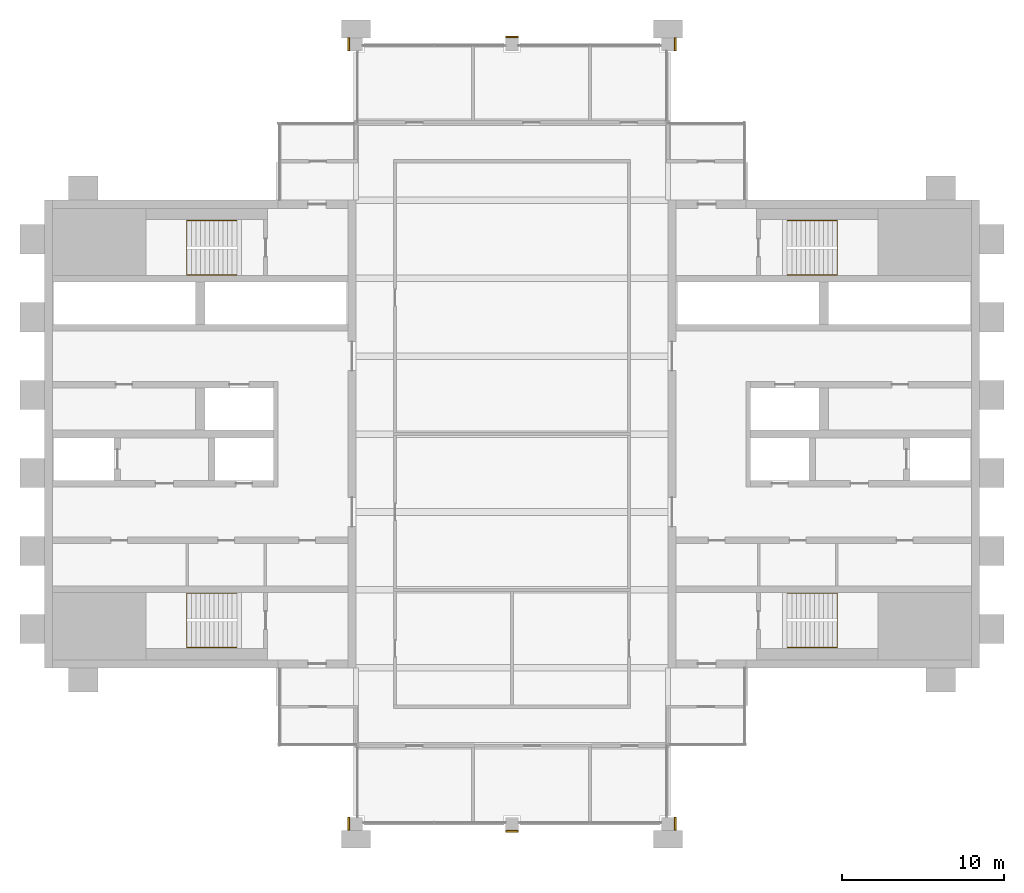
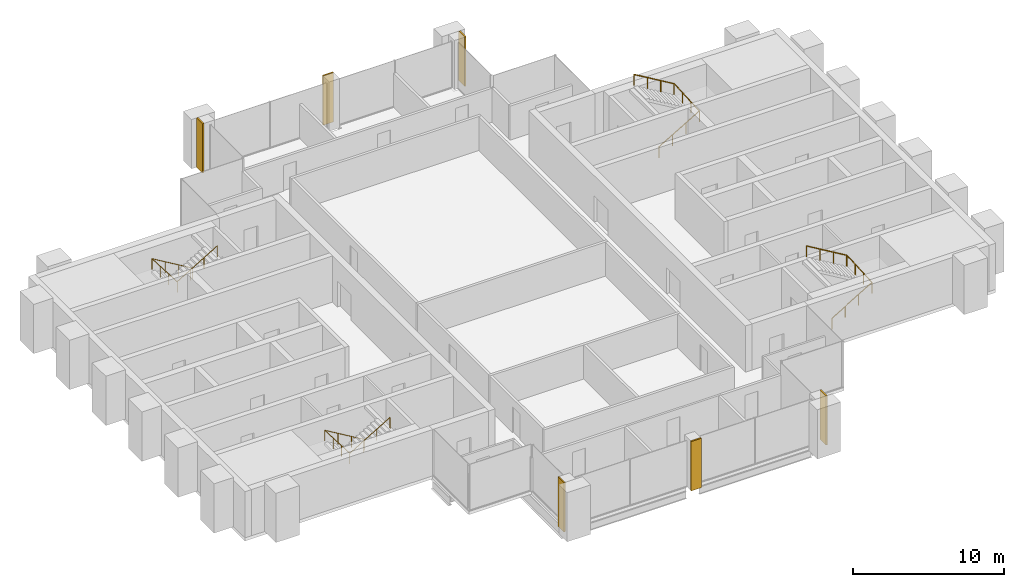
# One storey, part 11 of 11: 6 coverings, 4 railings.
"""IFC4 building model written with IfcOpenShell, lengths in metres."""

from ifc_helpers import new_model, si_unit, direction, frame, origin, origin_2d, place, context, subcontext, project, spatial, rectangle, circle, extrude, material, layer, layer_set, type_object, element, save


model = new_model("IFC4")

# Units and contexts
model_context = context("Model", 3, precision=1e-05, world=origin(), true_north=direction((0.0, 1.0)))
body_context = subcontext(model_context, "Body", "Model", "MODEL_VIEW")
ifc_project = project(units=[si_unit("LENGTHUNIT", "METRE"), si_unit("AREAUNIT", "SQUARE_METRE"), si_unit("VOLUMEUNIT", "CUBIC_METRE"), si_unit("PLANEANGLEUNIT", "RADIAN"), si_unit("MASSUNIT", "GRAM", prefix="KILO")], contexts=[model_context])

# Site, building, storey
site_placement = place(None, origin())
site = spatial("IfcSite", under=ifc_project, at=site_placement, CompositionType="ELEMENT")
building_placement = place(site_placement, origin())
building = spatial("IfcBuilding", under=site, at=building_placement, Name="Baori Bourse Tower", CompositionType="ELEMENT")
storey_placement = place(building_placement, frame((0.0, 0.0, 354.300048828125)))
storey = spatial("IfcBuildingStorey", under=building, at=storey_placement, Name="L79", CompositionType="ELEMENT", Elevation=354.300048828125)

# Railings
ifc_material_1 = material(Name="Powder-coated steel balustrade", Category="steel")
railing_type = type_object("IfcRailingType", Name="Core stair handrail", PredefinedType="HANDRAIL", material=ifc_material_1)
railing_1_placement = place(storey_placement, frame((11.85009765625, 14.199951171875, 0.16650390625)))
element("IfcRailing", 1, at=railing_1_placement, inside=storey, type_object=railing_type, Name="L79 ST1 stair handrail 1", PredefinedType="HANDRAIL", context=body_context, shape_type="SweptSolid", body=[
    extrude(circle(Radius=0.02392578125, at=origin_2d()), frame((0.0, 0.0, 0.8759765625), z_axis=(-0.85927862911, 0.0, 0.511507807912), x_axis=(0.0, -1.0, 0.0)), (0.0, 0.0, 1.0), 3.58447265625),
    extrude(circle(Radius=0.02392578125, at=origin_2d()), frame((-3.080078125, 0.0, 2.70947265625), z_axis=(0.0, -0.998766999029, 0.049643545903), x_axis=(1.0, 0.0, 0.0)), (0.0, 0.0, 1.0), 3.35400390625),
    extrude(circle(Radius=0.02392578125, at=origin_2d()), frame((-3.080078125, -3.349853515625, 2.8759765625), z_axis=(0.85927862911, 0.0, 0.511507807912), x_axis=(0.0, 1.0, 0.0)), (0.0, 0.0, 1.0), 3.58447265625),
    extrude(circle(Radius=0.02099609375, at=origin_2d()), origin(), (0.0, 0.0, 1.0), 0.851806640625),
    extrude(circle(Radius=0.02099609375, at=origin_2d()), frame((-1.026611328125, 0.0, 0.611083984375)), (0.0, 0.0, 1.0), 0.851806640625),
    extrude(circle(Radius=0.02099609375, at=origin_2d()), frame((-2.053466796875, 0.0, 1.222412109375)), (0.0, 0.0, 1.0), 0.851806640625),
    extrude(circle(Radius=0.02099609375, at=origin_2d()), frame((-3.080078125, 0.0, 1.83349609375)), (0.0, 0.0, 1.0), 0.851806640625),
    extrude(circle(Radius=0.02099609375, at=origin_2d()), frame((-3.080078125, -1.11669921875, 1.888916015625)), (0.0, 0.0, 1.0), 0.851806640625),
    extrude(circle(Radius=0.02099609375, at=origin_2d()), frame((-3.080078125, -2.233154296875, 1.944580078125)), (0.0, 0.0, 1.0), 0.851806640625),
    extrude(circle(Radius=0.02099609375, at=origin_2d()), frame((-3.080078125, -3.349853515625, 2.0)), (0.0, 0.0, 1.0), 0.851806640625),
    extrude(circle(Radius=0.02099609375, at=origin_2d()), frame((-2.053466796875, -3.349853515625, 2.611083984375)), (0.0, 0.0, 1.0), 0.851806640625),
    extrude(circle(Radius=0.02099609375, at=origin_2d()), frame((-1.026611328125, -3.349853515625, 3.222412109375)), (0.0, 0.0, 1.0), 0.851806640625),
    extrude(circle(Radius=0.02099609375, at=origin_2d()), frame((0.0, -3.349853515625, 3.83349609375)), (0.0, 0.0, 1.0), 0.851806640625),
])
railing_2_placement = place(storey_placement, frame((11.85009765625, 37.14990234375, 0.16650390625)))
element("IfcRailing", 2, at=railing_2_placement, inside=storey, type_object=railing_type, Name="L79 ST2 stair handrail 1", PredefinedType="HANDRAIL", context=body_context, shape_type="SweptSolid", body=[
    extrude(circle(Radius=0.02392578125, at=origin_2d()), frame((0.0, 0.0, 0.8759765625), z_axis=(-0.85927862911, 0.0, 0.511507807912), x_axis=(0.0, -1.0, 0.0)), (0.0, 0.0, 1.0), 3.58447265625),
    extrude(circle(Radius=0.02392578125, at=origin_2d()), frame((-3.080078125, 0.0, 2.70947265625), z_axis=(0.0, -0.998766999029, 0.049643545903), x_axis=(1.0, 0.0, 0.0)), (0.0, 0.0, 1.0), 3.35400390625),
    extrude(circle(Radius=0.02392578125, at=origin_2d()), frame((-3.080078125, -3.349853515625, 2.8759765625), z_axis=(0.85927862911, 0.0, 0.511507807912), x_axis=(0.0, 1.0, 0.0)), (0.0, 0.0, 1.0), 3.58447265625),
    extrude(circle(Radius=0.02099609375, at=origin_2d()), origin(), (0.0, 0.0, 1.0), 0.851806640625),
    extrude(circle(Radius=0.02099609375, at=origin_2d()), frame((-1.026611328125, 0.0, 0.611083984375)), (0.0, 0.0, 1.0), 0.851806640625),
    extrude(circle(Radius=0.02099609375, at=origin_2d()), frame((-2.053466796875, 0.0, 1.222412109375)), (0.0, 0.0, 1.0), 0.851806640625),
    extrude(circle(Radius=0.02099609375, at=origin_2d()), frame((-3.080078125, 0.0, 1.83349609375)), (0.0, 0.0, 1.0), 0.851806640625),
    extrude(circle(Radius=0.02099609375, at=origin_2d()), frame((-3.080078125, -1.11669921875, 1.888916015625)), (0.0, 0.0, 1.0), 0.851806640625),
    extrude(circle(Radius=0.02099609375, at=origin_2d()), frame((-3.080078125, -2.233154296875, 1.944580078125)), (0.0, 0.0, 1.0), 0.851806640625),
    extrude(circle(Radius=0.02099609375, at=origin_2d()), frame((-3.080078125, -3.349853515625, 2.0)), (0.0, 0.0, 1.0), 0.851806640625),
    extrude(circle(Radius=0.02099609375, at=origin_2d()), frame((-2.053466796875, -3.349853515625, 2.611083984375)), (0.0, 0.0, 1.0), 0.851806640625),
    extrude(circle(Radius=0.02099609375, at=origin_2d()), frame((-1.026611328125, -3.349853515625, 3.222412109375)), (0.0, 0.0, 1.0), 0.851806640625),
    extrude(circle(Radius=0.02099609375, at=origin_2d()), frame((0.0, -3.349853515625, 3.83349609375)), (0.0, 0.0, 1.0), 0.851806640625),
])
railing_3_placement = place(storey_placement, frame((45.75, 10.85009765625, 0.16650390625)))
element("IfcRailing", 3, at=railing_3_placement, inside=storey, type_object=railing_type, Name="L79 ST3 stair handrail 1", PredefinedType="HANDRAIL", context=body_context, shape_type="SweptSolid", body=[
    extrude(circle(Radius=0.02392578125, at=origin_2d()), frame((0.0, 0.0, 0.8759765625), z_axis=(0.85927862911, 0.0, 0.511507807912), x_axis=(0.0, 1.0, 0.0)), (0.0, 0.0, 1.0), 3.58447265625),
    extrude(circle(Radius=0.02392578125, at=origin_2d()), frame((3.080078125, 0.0, 2.70947265625), z_axis=(0.0, 0.998766999029, 0.049643545903), x_axis=(-1.0, 0.0, 0.0)), (0.0, 0.0, 1.0), 3.35400390625),
    extrude(circle(Radius=0.02392578125, at=origin_2d()), frame((3.080078125, 3.349853515625, 2.8759765625), z_axis=(-0.85927862911, 0.0, 0.511507807912), x_axis=(0.0, -1.0, 0.0)), (0.0, 0.0, 1.0), 3.58447265625),
    extrude(circle(Radius=0.02099609375, at=origin_2d()), origin(), (0.0, 0.0, 1.0), 0.851806640625),
    extrude(circle(Radius=0.02099609375, at=origin_2d()), frame((1.026611328125, 0.0, 0.611083984375)), (0.0, 0.0, 1.0), 0.851806640625),
    extrude(circle(Radius=0.02099609375, at=origin_2d()), frame((2.053466796875, 0.0, 1.222412109375)), (0.0, 0.0, 1.0), 0.851806640625),
    extrude(circle(Radius=0.02099609375, at=origin_2d()), frame((3.080078125, 0.0, 1.83349609375)), (0.0, 0.0, 1.0), 0.851806640625),
    extrude(circle(Radius=0.02099609375, at=origin_2d()), frame((3.080078125, 1.11669921875, 1.888916015625)), (0.0, 0.0, 1.0), 0.851806640625),
    extrude(circle(Radius=0.02099609375, at=origin_2d()), frame((3.080078125, 2.233154296875, 1.944580078125)), (0.0, 0.0, 1.0), 0.851806640625),
    extrude(circle(Radius=0.02099609375, at=origin_2d()), frame((3.080078125, 3.349853515625, 2.0)), (0.0, 0.0, 1.0), 0.851806640625),
    extrude(circle(Radius=0.02099609375, at=origin_2d()), frame((2.053466796875, 3.349853515625, 2.611083984375)), (0.0, 0.0, 1.0), 0.851806640625),
    extrude(circle(Radius=0.02099609375, at=origin_2d()), frame((1.026611328125, 3.349853515625, 3.222412109375)), (0.0, 0.0, 1.0), 0.851806640625),
    extrude(circle(Radius=0.02099609375, at=origin_2d()), frame((0.0, 3.349853515625, 3.83349609375)), (0.0, 0.0, 1.0), 0.851806640625),
])
railing_4_placement = place(storey_placement, frame((45.75, 33.800048828125, 0.16650390625)))
element("IfcRailing", 4, at=railing_4_placement, inside=storey, type_object=railing_type, Name="L79 ST4 stair handrail 1", PredefinedType="HANDRAIL", context=body_context, shape_type="SweptSolid", body=[
    extrude(circle(Radius=0.02392578125, at=origin_2d()), frame((0.0, 0.0, 0.8759765625), z_axis=(0.85927862911, 0.0, 0.511507807912), x_axis=(0.0, 1.0, 0.0)), (0.0, 0.0, 1.0), 3.58447265625),
    extrude(circle(Radius=0.02392578125, at=origin_2d()), frame((3.080078125, 0.0, 2.70947265625), z_axis=(0.0, 0.998766999029, 0.049643545903), x_axis=(-1.0, 0.0, 0.0)), (0.0, 0.0, 1.0), 3.35400390625),
    extrude(circle(Radius=0.02392578125, at=origin_2d()), frame((3.080078125, 3.349853515625, 2.8759765625), z_axis=(-0.85927862911, 0.0, 0.511507807912), x_axis=(0.0, -1.0, 0.0)), (0.0, 0.0, 1.0), 3.58447265625),
    extrude(circle(Radius=0.02099609375, at=origin_2d()), origin(), (0.0, 0.0, 1.0), 0.851806640625),
    extrude(circle(Radius=0.02099609375, at=origin_2d()), frame((1.026611328125, 0.0, 0.611083984375)), (0.0, 0.0, 1.0), 0.851806640625),
    extrude(circle(Radius=0.02099609375, at=origin_2d()), frame((2.053466796875, 0.0, 1.222412109375)), (0.0, 0.0, 1.0), 0.851806640625),
    extrude(circle(Radius=0.02099609375, at=origin_2d()), frame((3.080078125, 0.0, 1.83349609375)), (0.0, 0.0, 1.0), 0.851806640625),
    extrude(circle(Radius=0.02099609375, at=origin_2d()), frame((3.080078125, 1.11669921875, 1.888916015625)), (0.0, 0.0, 1.0), 0.851806640625),
    extrude(circle(Radius=0.02099609375, at=origin_2d()), frame((3.080078125, 2.233154296875, 1.944580078125)), (0.0, 0.0, 1.0), 0.851806640625),
    extrude(circle(Radius=0.02099609375, at=origin_2d()), frame((3.080078125, 3.349853515625, 2.0)), (0.0, 0.0, 1.0), 0.851806640625),
    extrude(circle(Radius=0.02099609375, at=origin_2d()), frame((2.053466796875, 3.349853515625, 2.611083984375)), (0.0, 0.0, 1.0), 0.851806640625),
    extrude(circle(Radius=0.02099609375, at=origin_2d()), frame((1.026611328125, 3.349853515625, 3.222412109375)), (0.0, 0.0, 1.0), 0.851806640625),
    extrude(circle(Radius=0.02099609375, at=origin_2d()), frame((0.0, 3.349853515625, 3.83349609375)), (0.0, 0.0, 1.0), 0.851806640625),
])

# Coverings
ifc_material_2 = material(Name="Face brick", Category="masonry")
ifc_layer = layer(ifc_material_2, 0.110107421875)
ifc_layer_set = layer_set([ifc_layer], Name="PC1 Brick pier facing")
covering_type = type_object("IfcCoveringType", Name="PC1 Brick pier facing", PredefinedType="CLADDING", material=ifc_layer_set)
covering_1_placement = place(storey_placement, frame((18.7451171875, 0.0, 0.0), z_axis=(0.0, 0.0, 1.0), x_axis=(1.0, 0.0, 0.0)))
element("IfcCovering", 5, at=covering_1_placement, inside=storey, type_object=covering_type, Name="Brick pier facing L79 1", PredefinedType="CLADDING", context=body_context, shape_type="SweptSolid", body=[
    extrude(rectangle(XDim=0.110107421875, YDim=0.800048828125, at=origin_2d()), origin(), (0.0, 0.0, 1.0), 4.0),
])
covering_2_placement = place(storey_placement, frame((28.800048828125, -0.455078125, 0.0), z_axis=(0.0, 0.0, 1.0), x_axis=(1.0, 0.0, 0.0)))
element("IfcCovering", 6, at=covering_2_placement, inside=storey, type_object=covering_type, Name="Brick pier facing L79 2", PredefinedType="CLADDING", context=body_context, shape_type="SweptSolid", body=[
    extrude(rectangle(XDim=0.800048828125, YDim=0.110107421875, at=origin_2d()), origin(), (0.0, 0.0, 1.0), 4.0),
])
for number, where, z_axis, x_axis, name in (
    (7, (38.85498046875, 0.0, 0.0), (0.0, 0.0, 1.0), (1.0, 0.0, 0.0), "Brick pier facing L79 3"),
    (8, (18.7451171875, 48.0, 0.0), (0.0, 0.0, 1.0), (1.0, 0.0, 0.0), "Brick pier facing L79 4"),
):
    element("IfcCovering", number, at=place(storey_placement, frame(where, z_axis=z_axis, x_axis=x_axis)), inside=storey, type_object=covering_type, Name=name, PredefinedType="CLADDING", context=body_context, shape_type="SweptSolid", body=[
        extrude(rectangle(XDim=0.110107421875, YDim=0.800048828125, at=origin_2d()), origin(), (0.0, 0.0, 1.0), 4.0),
    ])
covering_3_placement = place(storey_placement, frame((28.800048828125, 48.455078125, 0.0), z_axis=(0.0, 0.0, 1.0), x_axis=(1.0, 0.0, 0.0)))
element("IfcCovering", 9, at=covering_3_placement, inside=storey, type_object=covering_type, Name="Brick pier facing L79 5", PredefinedType="CLADDING", context=body_context, shape_type="SweptSolid", body=[
    extrude(rectangle(XDim=0.800048828125, YDim=0.110107421875, at=origin_2d()), origin(), (0.0, 0.0, 1.0), 4.0),
])
covering_4_placement = place(storey_placement, frame((38.85498046875, 48.0, 0.0), z_axis=(0.0, 0.0, 1.0), x_axis=(1.0, 0.0, 0.0)))
element("IfcCovering", 10, at=covering_4_placement, inside=storey, type_object=covering_type, Name="Brick pier facing L79 6", PredefinedType="CLADDING", context=body_context, shape_type="SweptSolid", body=[
    extrude(rectangle(XDim=0.110107421875, YDim=0.800048828125, at=origin_2d()), origin(), (0.0, 0.0, 1.0), 4.0),
])

save(model, "model.ifc")
